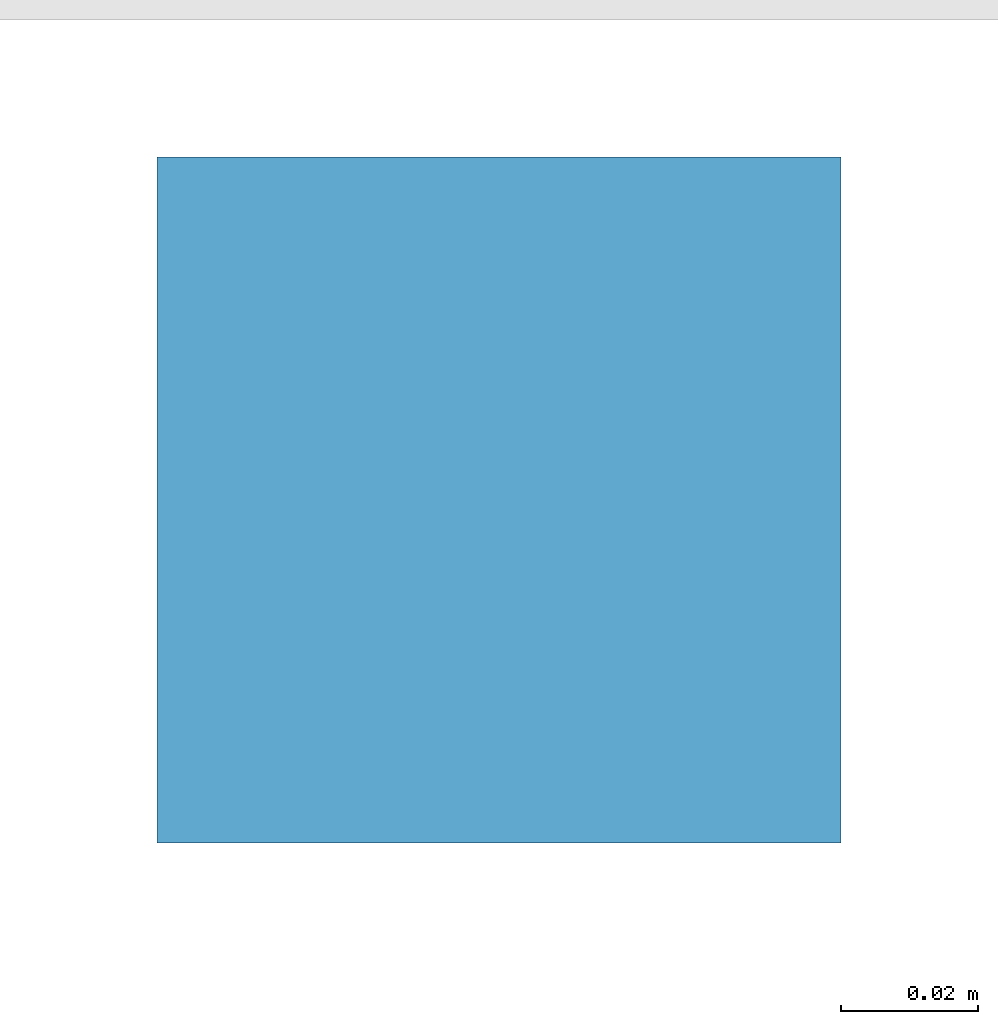
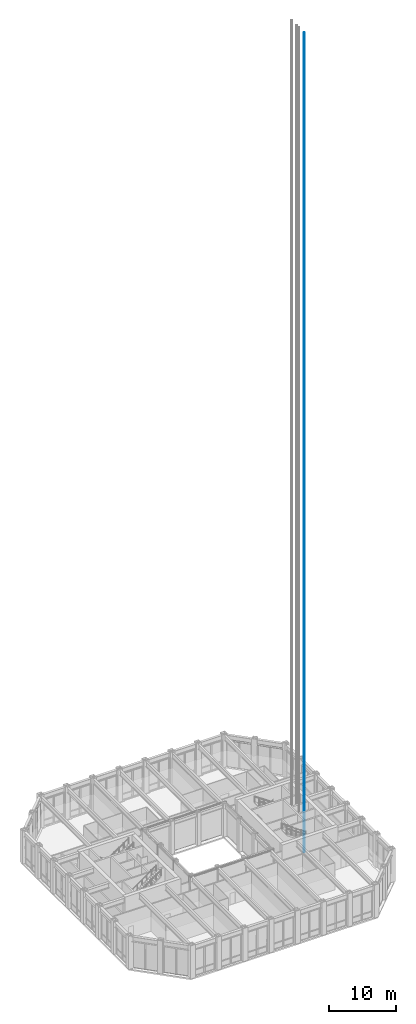
# One storey, part 16 of 22: 1 discrete accessory.
"""IFC4 building model written with IfcOpenShell, lengths in metres."""

from ifc_helpers import new_model, si_unit, direction, frame, origin, place, context, subcontext, project, spatial, polyline, outline, extrude, element, save


model = new_model("IFC4")

# Units and contexts
model_context = context("Model", 3, precision=1e-05, world=origin(), true_north=direction((0.0, 1.0)))
body_context = subcontext(model_context, "Body", "Model", "MODEL_VIEW")
ifc_project = project(units=[si_unit("LENGTHUNIT", "METRE"), si_unit("AREAUNIT", "SQUARE_METRE"), si_unit("VOLUMEUNIT", "CUBIC_METRE"), si_unit("PLANEANGLEUNIT", "RADIAN"), si_unit("MASSUNIT", "GRAM", prefix="KILO")], contexts=[model_context])

# Site, building, storey
site_placement = place(None, origin())
site = spatial("IfcSite", under=ifc_project, at=site_placement, CompositionType="ELEMENT")
building_placement = place(site_placement, origin())
building = spatial("IfcBuilding", under=site, at=building_placement, Name="Msasa Ring Tower", CompositionType="ELEMENT")
storey_placement = place(building_placement, frame((0.0, 0.0, 112.39990234375)))
storey = spatial("IfcBuildingStorey", under=building, at=storey_placement, Name="L29", CompositionType="ELEMENT", Elevation=112.39990234375)

# Discrete accessory
discrete_accessory_placement = place(storey_placement, frame((0.0, 0.0, -1.5)))
element("IfcDiscreteAccessory", 1, at=discrete_accessory_placement, inside=storey, Name="Lift guide rail 1 PL-H1", ObjectType="LIFT GUIDE RAIL", PredefinedType="USERDEFINED", context=body_context, shape_type="SweptSolid", body=[
    extrude(outline(polyline([(15.97509765625, -0.945068359375), (16.074951171875, -0.945068359375), (16.074951171875, -0.844970703125), (15.97509765625, -0.844970703125), (15.97509765625, -0.945068359375)])), origin(), (0.0, 0.0, 1.0), 148.60009765625),
])

save(model, "model.ifc")
